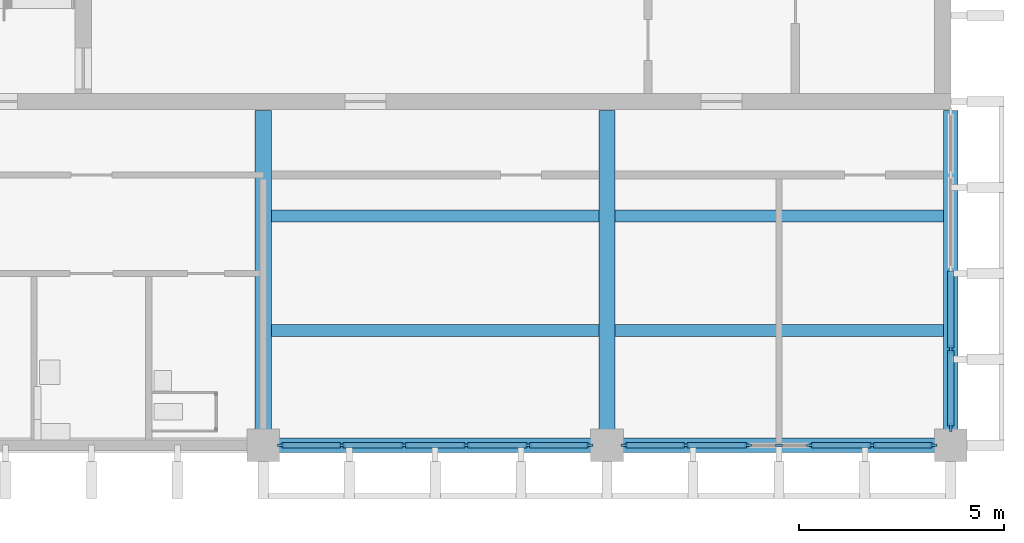
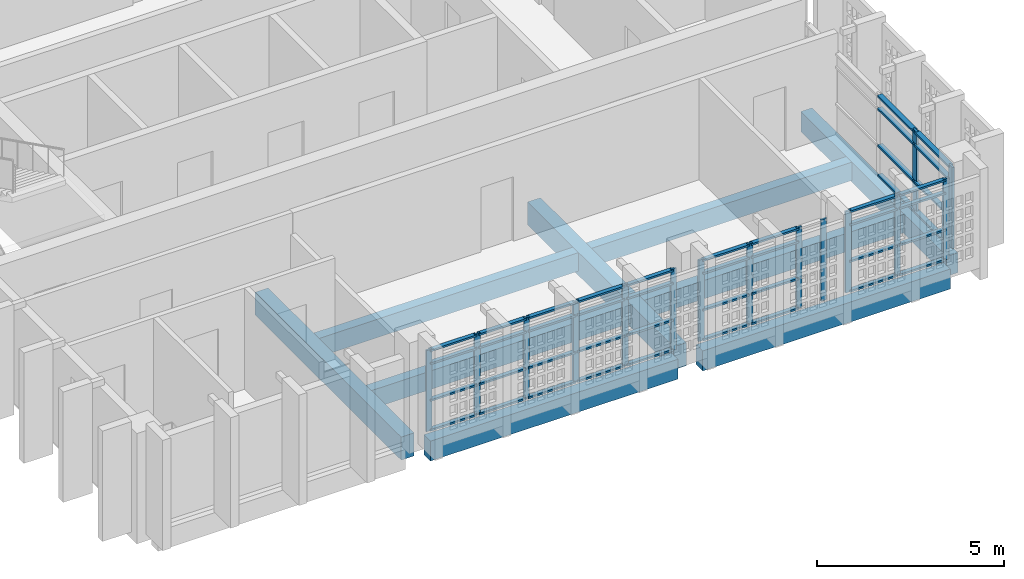
# One storey, part 2 of 13: 59 members, 9 beams, 3 elements without a shape of their own.
"""IFC4 building model written with IfcOpenShell, lengths in metres."""

from ifc_helpers import new_model, si_unit, direction, frame, origin, origin_2d, place, context, subcontext, project, spatial, rectangle, extrude, material, layer, layer_set, material_profile, profile_set, type_object, element, aggregate, save


model = new_model("IFC4")

# Units and contexts
model_context = context("Model", 3, precision=1e-05, world=origin(), true_north=direction((0.0, 1.0)))
body_context = subcontext(model_context, "Body", "Model", "MODEL_VIEW")
ifc_project = project(units=[si_unit("LENGTHUNIT", "METRE"), si_unit("AREAUNIT", "SQUARE_METRE"), si_unit("VOLUMEUNIT", "CUBIC_METRE"), si_unit("PLANEANGLEUNIT", "RADIAN"), si_unit("MASSUNIT", "GRAM", prefix="KILO")], contexts=[model_context])

# Site, building, storey
site_placement = place(None, origin())
site = spatial("IfcSite", under=ifc_project, at=site_placement, CompositionType="ELEMENT")
building_placement = place(site_placement, origin())
building = spatial("IfcBuilding", under=site, at=building_placement, Name="Rulbaag Community and Learning Centre", CompositionType="ELEMENT")
storey_placement = place(building_placement, frame((0.0, 0.0, 39.60009765625)))
storey = spatial("IfcBuildingStorey", under=building, at=storey_placement, Name="L10", CompositionType="ELEMENT", Elevation=39.60009765625)

# Beams
ifc_material_1 = material(Name="Concrete M40", Category="concrete")
ifc_material_profile_1 = material_profile(ifc_material_1, rectangle(XDim=0.35009765625, YDim=0.64990234375, at=origin_2d()), Name="RB350x650")
ifc_profile_set_1 = profile_set([ifc_material_profile_1], Name="Concrete M40")
beam_type_1 = type_object("IfcBeamType", Name="B14 Tower edge beam, upper zone 350x650 Concrete M40", PredefinedType="BEAM", material=ifc_profile_set_1)
beam_1_placement = place(storey_placement, frame((151.580078125, 84.0, -0.550048828125), z_axis=(1.0, 0.0, 0.0), x_axis=(0.0, 1.0, 0.0)))
element("IfcBeam", 1, at=beam_1_placement, inside=storey, type_object=beam_type_1, Name="BM-L10-19K-20K", PredefinedType="BEAM", context=body_context, shape_type="SweptSolid", body=[
    extrude(rectangle(XDim=0.35009765625, YDim=0.64990234375, at=origin_2d()), origin(), (0.0, 0.0, 1.0), 7.639892578125),
])
beam_2_placement = place(storey_placement, frame((159.97998046875, 84.0, -0.550048828125), z_axis=(1.0, 0.0, 0.0), x_axis=(0.0, 1.0, 0.0)))
element("IfcBeam", 2, at=beam_2_placement, inside=storey, type_object=beam_type_1, Name="BM-L10-20K-21K", PredefinedType="BEAM", context=body_context, shape_type="SweptSolid", body=[
    extrude(rectangle(XDim=0.35009765625, YDim=0.64990234375, at=origin_2d()), origin(), (0.0, 0.0, 1.0), 7.64013671875),
])
beam_3_placement = place(storey_placement, frame((168.0, 84.3798828125, -0.550048828125), z_axis=(0.0, 1.0, 0.0), x_axis=(-1.0, 0.0, 0.0)))
element("IfcBeam", 3, at=beam_3_placement, inside=storey, type_object=beam_type_1, Name="BM-L10-21K-21L", PredefinedType="BEAM", context=body_context, shape_type="SweptSolid", body=[
    extrude(rectangle(XDim=0.35009765625, YDim=0.64990234375, at=origin_2d()), origin(), (0.0, 0.0, 1.0), 7.795166015625),
])
ifc_material_profile_2 = material_profile(ifc_material_1, rectangle(XDim=0.39990234375, YDim=0.75, at=origin_2d()), Name="RB400x750")
ifc_profile_set_2 = profile_set([ifc_material_profile_2], Name="Concrete M40")
beam_type_2 = type_object("IfcBeamType", Name="B15 Tower frame beam, middle zone 400x750 Concrete M40", PredefinedType="BEAM", material=ifc_profile_set_2)
for number, where, z_axis, x_axis, name in (
    (4, (151.199951171875, 84.3798828125, -0.60009765625), (0.0, 1.0, 0.0), (-1.0, 0.0, 0.0), "BM-L10-19K-19L"),
    (5, (159.60009765625, 84.3798828125, -0.60009765625), (0.0, 1.0, 0.0), (-1.0, 0.0, 0.0), "BM-L10-20K-20L"),
):
    element("IfcBeam", number, at=place(storey_placement, frame(where, z_axis=z_axis, x_axis=x_axis)), inside=storey, type_object=beam_type_2, Name=name, PredefinedType="BEAM", context=body_context, shape_type="SweptSolid", body=[
        extrude(rectangle(XDim=0.39990234375, YDim=0.75, at=origin_2d()), origin(), (0.0, 0.0, 1.0), 7.795166015625),
    ])
ifc_material_profile_3 = material_profile(ifc_material_1, rectangle(XDim=0.300048828125, YDim=0.60009765625, at=origin_2d()), Name="RB300x600")
ifc_profile_set_3 = profile_set([ifc_material_profile_3], Name="Concrete M40")
beam_type_3 = type_object("IfcBeamType", Name="B30 Secondary joist 300x600 Concrete M40", PredefinedType="BEAM", material=ifc_profile_set_3)
for number, where, z_axis, x_axis, name in (
    (6, (151.39990234375, 86.800048828125, -0.525146484375), (1.0, 0.0, 0.0), (0.0, 1.0, 0.0), "BM-JS-L10-19K-1"),
    (7, (151.39990234375, 89.60009765625, -0.525146484375), (1.0, 0.0, 0.0), (0.0, 1.0, 0.0), "BM-JS-L10-19K-2"),
):
    element("IfcBeam", number, at=place(storey_placement, frame(where, z_axis=z_axis, x_axis=x_axis)), inside=storey, type_object=beam_type_3, Name=name, PredefinedType="BEAM", context=body_context, shape_type="SweptSolid", body=[
        extrude(rectangle(XDim=0.300048828125, YDim=0.60009765625, at=origin_2d()), origin(), (0.0, 0.0, 1.0), 8.0),
    ])
for number, where, z_axis, x_axis, name in (
    (8, (159.800048828125, 86.800048828125, -0.525146484375), (1.0, 0.0, 0.0), (0.0, 1.0, 0.0), "BM-JS-L10-20K-1"),
    (9, (159.800048828125, 89.60009765625, -0.525146484375), (1.0, 0.0, 0.0), (0.0, 1.0, 0.0), "BM-JS-L10-20K-2"),
):
    element("IfcBeam", number, at=place(storey_placement, frame(where, z_axis=z_axis, x_axis=x_axis)), inside=storey, type_object=beam_type_3, Name=name, PredefinedType="BEAM", context=body_context, shape_type="SweptSolid", body=[
        extrude(rectangle(XDim=0.300048828125, YDim=0.60009765625, at=origin_2d()), origin(), (0.0, 0.0, 1.0), 8.02490234375),
    ])

# Curtain wall, members
ifc_material_2 = material(Name="Aluminium", Category="aluminium")
ifc_layer_1 = layer(ifc_material_2, 0.14990234375)
ifc_layer_set_1 = layer_set([ifc_layer_1], Name="CW-S")
curtain_wall_type_1 = type_object("IfcCurtainWallType", Name="CW-S", PredefinedType="USERDEFINED", material=ifc_layer_set_1)
curtain_wall_1_placement = place(storey_placement, origin())
curtain_wall_1 = element("IfcCurtainWall", 10, at=curtain_wall_1_placement, inside=storey, type_object=curtain_wall_type_1, Name="GS-L10-01", ObjectType="UNITISED CURTAIN WALL", PredefinedType="USERDEFINED")
ifc_material_3 = material(Name="Aluminium mullion", Category="aluminium")
ifc_material_profile_4 = material_profile(ifc_material_3, rectangle(XDim=0.06005859375, YDim=0.175048828125, at=origin_2d()), Name="AL 60x175")
ifc_profile_set_4 = profile_set([ifc_material_profile_4], Name="Aluminium mullion")
member_type_1 = type_object("IfcMemberType", Name="CW-S-MUL", PredefinedType="MULLION", material=ifc_profile_set_4)
member_1_placement = place(storey_placement, frame((151.6298828125, 84.0, 0.0), z_axis=(0.0, 0.0, 1.0), x_axis=(0.0, 1.0, 0.0)))
member_1 = element("IfcMember", 11, at=member_1_placement, type_object=member_type_1, Name="GS mullion 1", PredefinedType="MULLION", context=body_context, shape_type="SweptSolid", body=[
    extrude(rectangle(XDim=0.06005859375, YDim=0.175048828125, at=origin_2d()), origin(), (0.0, 0.0, 1.0), 2.64990234375),
])
member_2_placement = place(storey_placement, frame((153.1201171875, 84.0, 0.0), z_axis=(0.0, 0.0, 1.0), x_axis=(0.0, 1.0, 0.0)))
member_2 = element("IfcMember", 12, at=member_2_placement, type_object=member_type_1, Name="GS mullion 2", PredefinedType="MULLION", context=body_context, shape_type="SweptSolid", body=[
    extrude(rectangle(XDim=0.06005859375, YDim=0.175048828125, at=origin_2d()), origin(), (0.0, 0.0, 1.0), 2.64990234375),
])
member_3_placement = place(storey_placement, frame((154.639892578125, 84.0, 0.0), z_axis=(0.0, 0.0, 1.0), x_axis=(0.0, 1.0, 0.0)))
member_3 = element("IfcMember", 13, at=member_3_placement, type_object=member_type_1, Name="GS mullion 3", PredefinedType="MULLION", context=body_context, shape_type="SweptSolid", body=[
    extrude(rectangle(XDim=0.06005859375, YDim=0.175048828125, at=origin_2d()), origin(), (0.0, 0.0, 1.0), 2.64990234375),
])
member_4_placement = place(storey_placement, frame((156.159912109375, 84.0, 0.0), z_axis=(0.0, 0.0, 1.0), x_axis=(0.0, 1.0, 0.0)))
member_4 = element("IfcMember", 14, at=member_4_placement, type_object=member_type_1, Name="GS mullion 4", PredefinedType="MULLION", context=body_context, shape_type="SweptSolid", body=[
    extrude(rectangle(XDim=0.06005859375, YDim=0.175048828125, at=origin_2d()), origin(), (0.0, 0.0, 1.0), 2.64990234375),
])
member_5_placement = place(storey_placement, frame((157.679931640625, 84.0, 0.0), z_axis=(0.0, 0.0, 1.0), x_axis=(0.0, 1.0, 0.0)))
member_5 = element("IfcMember", 15, at=member_5_placement, type_object=member_type_1, Name="GS mullion 5", PredefinedType="MULLION", context=body_context, shape_type="SweptSolid", body=[
    extrude(rectangle(XDim=0.06005859375, YDim=0.175048828125, at=origin_2d()), origin(), (0.0, 0.0, 1.0), 2.64990234375),
])
member_6_placement = place(storey_placement, frame((159.169921875, 84.0, 0.0), z_axis=(0.0, 0.0, 1.0), x_axis=(0.0, 1.0, 0.0)))
member_6 = element("IfcMember", 16, at=member_6_placement, type_object=member_type_1, Name="GS mullion 6", PredefinedType="MULLION", context=body_context, shape_type="SweptSolid", body=[
    extrude(rectangle(XDim=0.06005859375, YDim=0.175048828125, at=origin_2d()), origin(), (0.0, 0.0, 1.0), 2.64990234375),
])

curtain_wall_2_placement = place(storey_placement, origin())
curtain_wall_2 = element("IfcCurtainWall", 17, at=curtain_wall_2_placement, inside=storey, type_object=curtain_wall_type_1, Name="GS-L10-02", ObjectType="UNITISED CURTAIN WALL", PredefinedType="USERDEFINED")
member_7_placement = place(storey_placement, frame((160.030029296875, 84.0, 0.0), z_axis=(0.0, 0.0, 1.0), x_axis=(0.0, 1.0, 0.0)))
member_7 = element("IfcMember", 18, at=member_7_placement, type_object=member_type_1, Name="GS mullion 1", PredefinedType="MULLION", context=body_context, shape_type="SweptSolid", body=[
    extrude(rectangle(XDim=0.06005859375, YDim=0.175048828125, at=origin_2d()), origin(), (0.0, 0.0, 1.0), 2.64990234375),
])
member_8_placement = place(storey_placement, frame((161.52001953125, 84.0, 0.0), z_axis=(0.0, 0.0, 1.0), x_axis=(0.0, 1.0, 0.0)))
member_8 = element("IfcMember", 19, at=member_8_placement, type_object=member_type_1, Name="GS mullion 2", PredefinedType="MULLION", context=body_context, shape_type="SweptSolid", body=[
    extrude(rectangle(XDim=0.06005859375, YDim=0.175048828125, at=origin_2d()), origin(), (0.0, 0.0, 1.0), 2.64990234375),
])
member_9_placement = place(storey_placement, frame((163.0400390625, 84.0, 0.0), z_axis=(0.0, 0.0, 1.0), x_axis=(0.0, 1.0, 0.0)))
member_9 = element("IfcMember", 20, at=member_9_placement, type_object=member_type_1, Name="GS mullion 3", PredefinedType="MULLION", context=body_context, shape_type="SweptSolid", body=[
    extrude(rectangle(XDim=0.06005859375, YDim=0.175048828125, at=origin_2d()), origin(), (0.0, 0.0, 1.0), 2.64990234375),
])
member_10_placement = place(storey_placement, frame((163.800048828125, 84.0, 0.0), z_axis=(0.0, 0.0, 1.0), x_axis=(0.0, 1.0, 0.0)))
member_10 = element("IfcMember", 21, at=member_10_placement, type_object=member_type_1, Name="GS mullion 4", PredefinedType="MULLION", context=body_context, shape_type="SweptSolid", body=[
    extrude(rectangle(XDim=0.06005859375, YDim=0.175048828125, at=origin_2d()), origin(), (0.0, 0.0, 1.0), 2.64990234375),
])
member_11_placement = place(storey_placement, frame((164.56005859375, 84.0, 0.0), z_axis=(0.0, 0.0, 1.0), x_axis=(0.0, 1.0, 0.0)))
member_11 = element("IfcMember", 22, at=member_11_placement, type_object=member_type_1, Name="GS mullion 5", PredefinedType="MULLION", context=body_context, shape_type="SweptSolid", body=[
    extrude(rectangle(XDim=0.06005859375, YDim=0.175048828125, at=origin_2d()), origin(), (0.0, 0.0, 1.0), 2.64990234375),
])
member_12_placement = place(storey_placement, frame((166.080078125, 84.0, 0.0), z_axis=(0.0, 0.0, 1.0), x_axis=(0.0, 1.0, 0.0)))
member_12 = element("IfcMember", 23, at=member_12_placement, type_object=member_type_1, Name="GS mullion 6", PredefinedType="MULLION", context=body_context, shape_type="SweptSolid", body=[
    extrude(rectangle(XDim=0.06005859375, YDim=0.175048828125, at=origin_2d()), origin(), (0.0, 0.0, 1.0), 2.64990234375),
])
member_13_placement = place(storey_placement, frame((167.570068359375, 84.0, 0.0), z_axis=(0.0, 0.0, 1.0), x_axis=(0.0, 1.0, 0.0)))
member_13 = element("IfcMember", 24, at=member_13_placement, type_object=member_type_1, Name="GS mullion 7", PredefinedType="MULLION", context=body_context, shape_type="SweptSolid", body=[
    extrude(rectangle(XDim=0.06005859375, YDim=0.175048828125, at=origin_2d()), origin(), (0.0, 0.0, 1.0), 2.64990234375),
])

# Member
ifc_material_4 = material(Name="Aluminium transom", Category="aluminium")
ifc_material_profile_5 = material_profile(ifc_material_4, rectangle(XDim=0.125, YDim=0.06005859375, at=origin_2d()), Name="AL 60x125 T")
ifc_profile_set_5 = profile_set([ifc_material_profile_5], Name="Aluminium transom")
member_type_2 = type_object("IfcMemberType", Name="CW-S-TRN", PredefinedType="USERDEFINED", material=ifc_profile_set_5)
member_14_placement = place(storey_placement, frame((151.659912109375, 84.0, 0.02978515625), z_axis=(1.0, 0.0, 0.0), x_axis=(0.0, 1.0, 0.0)))
member_14 = element("IfcMember", 25, at=member_14_placement, type_object=member_type_2, Name="GS transom 1.1", ObjectType="TRANSOM", PredefinedType="USERDEFINED", context=body_context, shape_type="SweptSolid", body=[
    extrude(rectangle(XDim=0.125, YDim=0.06005859375, at=origin_2d()), origin(), (0.0, 0.0, 1.0), 1.43017578125),
])

member_15_placement = place(storey_placement, frame((151.659912109375, 84.0, 1.0), z_axis=(1.0, 0.0, 0.0), x_axis=(0.0, 1.0, 0.0)))
member_15 = element("IfcMember", 26, at=member_15_placement, type_object=member_type_2, Name="GS transom 1.2", ObjectType="TRANSOM", PredefinedType="USERDEFINED", context=body_context, shape_type="SweptSolid", body=[
    extrude(rectangle(XDim=0.125, YDim=0.06005859375, at=origin_2d()), origin(), (0.0, 0.0, 1.0), 1.43017578125),
])

member_16_placement = place(storey_placement, frame((151.659912109375, 84.0, 2.199951171875), z_axis=(1.0, 0.0, 0.0), x_axis=(0.0, 1.0, 0.0)))
member_16 = element("IfcMember", 27, at=member_16_placement, type_object=member_type_2, Name="GS transom 1.3", ObjectType="TRANSOM", PredefinedType="USERDEFINED", context=body_context, shape_type="SweptSolid", body=[
    extrude(rectangle(XDim=0.125, YDim=0.06005859375, at=origin_2d()), origin(), (0.0, 0.0, 1.0), 1.43017578125),
])

member_17_placement = place(storey_placement, frame((151.659912109375, 84.0, 2.619873046875), z_axis=(1.0, 0.0, 0.0), x_axis=(0.0, 1.0, 0.0)))
member_17 = element("IfcMember", 28, at=member_17_placement, type_object=member_type_2, Name="GS transom 1.4", ObjectType="TRANSOM", PredefinedType="USERDEFINED", context=body_context, shape_type="SweptSolid", body=[
    extrude(rectangle(XDim=0.125, YDim=0.06005859375, at=origin_2d()), origin(), (0.0, 0.0, 1.0), 1.43017578125),
])

member_18_placement = place(storey_placement, frame((153.14990234375, 84.0, 0.02978515625), z_axis=(1.0, 0.0, 0.0), x_axis=(0.0, 1.0, 0.0)))
member_18 = element("IfcMember", 29, at=member_18_placement, type_object=member_type_2, Name="GS transom 2.1", ObjectType="TRANSOM", PredefinedType="USERDEFINED", context=body_context, shape_type="SweptSolid", body=[
    extrude(rectangle(XDim=0.125, YDim=0.06005859375, at=origin_2d()), origin(), (0.0, 0.0, 1.0), 1.460205078125),
])

member_19_placement = place(storey_placement, frame((153.14990234375, 84.0, 1.0), z_axis=(1.0, 0.0, 0.0), x_axis=(0.0, 1.0, 0.0)))
member_19 = element("IfcMember", 30, at=member_19_placement, type_object=member_type_2, Name="GS transom 2.2", ObjectType="TRANSOM", PredefinedType="USERDEFINED", context=body_context, shape_type="SweptSolid", body=[
    extrude(rectangle(XDim=0.125, YDim=0.06005859375, at=origin_2d()), origin(), (0.0, 0.0, 1.0), 1.460205078125),
])

member_20_placement = place(storey_placement, frame((153.14990234375, 84.0, 2.199951171875), z_axis=(1.0, 0.0, 0.0), x_axis=(0.0, 1.0, 0.0)))
member_20 = element("IfcMember", 31, at=member_20_placement, type_object=member_type_2, Name="GS transom 2.3", ObjectType="TRANSOM", PredefinedType="USERDEFINED", context=body_context, shape_type="SweptSolid", body=[
    extrude(rectangle(XDim=0.125, YDim=0.06005859375, at=origin_2d()), origin(), (0.0, 0.0, 1.0), 1.460205078125),
])

member_21_placement = place(storey_placement, frame((153.14990234375, 84.0, 2.619873046875), z_axis=(1.0, 0.0, 0.0), x_axis=(0.0, 1.0, 0.0)))
member_21 = element("IfcMember", 32, at=member_21_placement, type_object=member_type_2, Name="GS transom 2.4", ObjectType="TRANSOM", PredefinedType="USERDEFINED", context=body_context, shape_type="SweptSolid", body=[
    extrude(rectangle(XDim=0.125, YDim=0.06005859375, at=origin_2d()), origin(), (0.0, 0.0, 1.0), 1.460205078125),
])

member_22_placement = place(storey_placement, frame((154.669921875, 84.0, 0.02978515625), z_axis=(1.0, 0.0, 0.0), x_axis=(0.0, 1.0, 0.0)))
member_22 = element("IfcMember", 33, at=member_22_placement, type_object=member_type_2, Name="GS transom 3.1", ObjectType="TRANSOM", PredefinedType="USERDEFINED", context=body_context, shape_type="SweptSolid", body=[
    extrude(rectangle(XDim=0.125, YDim=0.06005859375, at=origin_2d()), origin(), (0.0, 0.0, 1.0), 1.4599609375),
])

member_23_placement = place(storey_placement, frame((154.669921875, 84.0, 1.0), z_axis=(1.0, 0.0, 0.0), x_axis=(0.0, 1.0, 0.0)))
member_23 = element("IfcMember", 34, at=member_23_placement, type_object=member_type_2, Name="GS transom 3.2", ObjectType="TRANSOM", PredefinedType="USERDEFINED", context=body_context, shape_type="SweptSolid", body=[
    extrude(rectangle(XDim=0.125, YDim=0.06005859375, at=origin_2d()), origin(), (0.0, 0.0, 1.0), 1.4599609375),
])

member_24_placement = place(storey_placement, frame((154.669921875, 84.0, 2.199951171875), z_axis=(1.0, 0.0, 0.0), x_axis=(0.0, 1.0, 0.0)))
member_24 = element("IfcMember", 35, at=member_24_placement, type_object=member_type_2, Name="GS transom 3.3", ObjectType="TRANSOM", PredefinedType="USERDEFINED", context=body_context, shape_type="SweptSolid", body=[
    extrude(rectangle(XDim=0.125, YDim=0.06005859375, at=origin_2d()), origin(), (0.0, 0.0, 1.0), 1.4599609375),
])

member_25_placement = place(storey_placement, frame((154.669921875, 84.0, 2.619873046875), z_axis=(1.0, 0.0, 0.0), x_axis=(0.0, 1.0, 0.0)))
member_25 = element("IfcMember", 36, at=member_25_placement, type_object=member_type_2, Name="GS transom 3.4", ObjectType="TRANSOM", PredefinedType="USERDEFINED", context=body_context, shape_type="SweptSolid", body=[
    extrude(rectangle(XDim=0.125, YDim=0.06005859375, at=origin_2d()), origin(), (0.0, 0.0, 1.0), 1.4599609375),
])

member_26_placement = place(storey_placement, frame((156.18994140625, 84.0, 0.02978515625), z_axis=(1.0, 0.0, 0.0), x_axis=(0.0, 1.0, 0.0)))
member_26 = element("IfcMember", 37, at=member_26_placement, type_object=member_type_2, Name="GS transom 4.1", ObjectType="TRANSOM", PredefinedType="USERDEFINED", context=body_context, shape_type="SweptSolid", body=[
    extrude(rectangle(XDim=0.125, YDim=0.06005859375, at=origin_2d()), origin(), (0.0, 0.0, 1.0), 1.4599609375),
])

member_27_placement = place(storey_placement, frame((156.18994140625, 84.0, 1.0), z_axis=(1.0, 0.0, 0.0), x_axis=(0.0, 1.0, 0.0)))
member_27 = element("IfcMember", 38, at=member_27_placement, type_object=member_type_2, Name="GS transom 4.2", ObjectType="TRANSOM", PredefinedType="USERDEFINED", context=body_context, shape_type="SweptSolid", body=[
    extrude(rectangle(XDim=0.125, YDim=0.06005859375, at=origin_2d()), origin(), (0.0, 0.0, 1.0), 1.4599609375),
])

member_28_placement = place(storey_placement, frame((156.18994140625, 84.0, 2.199951171875), z_axis=(1.0, 0.0, 0.0), x_axis=(0.0, 1.0, 0.0)))
member_28 = element("IfcMember", 39, at=member_28_placement, type_object=member_type_2, Name="GS transom 4.3", ObjectType="TRANSOM", PredefinedType="USERDEFINED", context=body_context, shape_type="SweptSolid", body=[
    extrude(rectangle(XDim=0.125, YDim=0.06005859375, at=origin_2d()), origin(), (0.0, 0.0, 1.0), 1.4599609375),
])

member_29_placement = place(storey_placement, frame((156.18994140625, 84.0, 2.619873046875), z_axis=(1.0, 0.0, 0.0), x_axis=(0.0, 1.0, 0.0)))
member_29 = element("IfcMember", 40, at=member_29_placement, type_object=member_type_2, Name="GS transom 4.4", ObjectType="TRANSOM", PredefinedType="USERDEFINED", context=body_context, shape_type="SweptSolid", body=[
    extrude(rectangle(XDim=0.125, YDim=0.06005859375, at=origin_2d()), origin(), (0.0, 0.0, 1.0), 1.4599609375),
])

member_30_placement = place(storey_placement, frame((157.7099609375, 84.0, 0.02978515625), z_axis=(1.0, 0.0, 0.0), x_axis=(0.0, 1.0, 0.0)))
member_30 = element("IfcMember", 41, at=member_30_placement, type_object=member_type_2, Name="GS transom 5.1", ObjectType="TRANSOM", PredefinedType="USERDEFINED", context=body_context, shape_type="SweptSolid", body=[
    extrude(rectangle(XDim=0.125, YDim=0.06005859375, at=origin_2d()), origin(), (0.0, 0.0, 1.0), 1.429931640625),
])

member_31_placement = place(storey_placement, frame((157.7099609375, 84.0, 1.0), z_axis=(1.0, 0.0, 0.0), x_axis=(0.0, 1.0, 0.0)))
member_31 = element("IfcMember", 42, at=member_31_placement, type_object=member_type_2, Name="GS transom 5.2", ObjectType="TRANSOM", PredefinedType="USERDEFINED", context=body_context, shape_type="SweptSolid", body=[
    extrude(rectangle(XDim=0.125, YDim=0.06005859375, at=origin_2d()), origin(), (0.0, 0.0, 1.0), 1.429931640625),
])

member_32_placement = place(storey_placement, frame((157.7099609375, 84.0, 2.199951171875), z_axis=(1.0, 0.0, 0.0), x_axis=(0.0, 1.0, 0.0)))
member_32 = element("IfcMember", 43, at=member_32_placement, type_object=member_type_2, Name="GS transom 5.3", ObjectType="TRANSOM", PredefinedType="USERDEFINED", context=body_context, shape_type="SweptSolid", body=[
    extrude(rectangle(XDim=0.125, YDim=0.06005859375, at=origin_2d()), origin(), (0.0, 0.0, 1.0), 1.429931640625),
])

member_33_placement = place(storey_placement, frame((157.7099609375, 84.0, 2.619873046875), z_axis=(1.0, 0.0, 0.0), x_axis=(0.0, 1.0, 0.0)))
member_33 = element("IfcMember", 44, at=member_33_placement, type_object=member_type_2, Name="GS transom 5.4", ObjectType="TRANSOM", PredefinedType="USERDEFINED", context=body_context, shape_type="SweptSolid", body=[
    extrude(rectangle(XDim=0.125, YDim=0.06005859375, at=origin_2d()), origin(), (0.0, 0.0, 1.0), 1.429931640625),
])

aggregate(curtain_wall_1, [member_1, member_2, member_3, member_4, member_5, member_6, member_14, member_15, member_16, member_17, member_18, member_19, member_20, member_21, member_22, member_23, member_24, member_25, member_26, member_27, member_28, member_29, member_30, member_31, member_32, member_33])

member_34_placement = place(storey_placement, frame((160.06005859375, 84.0, 0.02978515625), z_axis=(1.0, 0.0, 0.0), x_axis=(0.0, 1.0, 0.0)))
member_34 = element("IfcMember", 45, at=member_34_placement, type_object=member_type_2, Name="GS transom 1.1", ObjectType="TRANSOM", PredefinedType="USERDEFINED", context=body_context, shape_type="SweptSolid", body=[
    extrude(rectangle(XDim=0.125, YDim=0.06005859375, at=origin_2d()), origin(), (0.0, 0.0, 1.0), 1.429931640625),
])

member_35_placement = place(storey_placement, frame((160.06005859375, 84.0, 1.0), z_axis=(1.0, 0.0, 0.0), x_axis=(0.0, 1.0, 0.0)))
member_35 = element("IfcMember", 46, at=member_35_placement, type_object=member_type_2, Name="GS transom 1.2", ObjectType="TRANSOM", PredefinedType="USERDEFINED", context=body_context, shape_type="SweptSolid", body=[
    extrude(rectangle(XDim=0.125, YDim=0.06005859375, at=origin_2d()), origin(), (0.0, 0.0, 1.0), 1.429931640625),
])

member_36_placement = place(storey_placement, frame((160.06005859375, 84.0, 2.199951171875), z_axis=(1.0, 0.0, 0.0), x_axis=(0.0, 1.0, 0.0)))
member_36 = element("IfcMember", 47, at=member_36_placement, type_object=member_type_2, Name="GS transom 1.3", ObjectType="TRANSOM", PredefinedType="USERDEFINED", context=body_context, shape_type="SweptSolid", body=[
    extrude(rectangle(XDim=0.125, YDim=0.06005859375, at=origin_2d()), origin(), (0.0, 0.0, 1.0), 1.429931640625),
])

member_37_placement = place(storey_placement, frame((160.06005859375, 84.0, 2.619873046875), z_axis=(1.0, 0.0, 0.0), x_axis=(0.0, 1.0, 0.0)))
member_37 = element("IfcMember", 48, at=member_37_placement, type_object=member_type_2, Name="GS transom 1.4", ObjectType="TRANSOM", PredefinedType="USERDEFINED", context=body_context, shape_type="SweptSolid", body=[
    extrude(rectangle(XDim=0.125, YDim=0.06005859375, at=origin_2d()), origin(), (0.0, 0.0, 1.0), 1.429931640625),
])

member_38_placement = place(storey_placement, frame((161.550048828125, 84.0, 0.02978515625), z_axis=(1.0, 0.0, 0.0), x_axis=(0.0, 1.0, 0.0)))
member_38 = element("IfcMember", 49, at=member_38_placement, type_object=member_type_2, Name="GS transom 2.1", ObjectType="TRANSOM", PredefinedType="USERDEFINED", context=body_context, shape_type="SweptSolid", body=[
    extrude(rectangle(XDim=0.125, YDim=0.06005859375, at=origin_2d()), origin(), (0.0, 0.0, 1.0), 1.4599609375),
])

member_39_placement = place(storey_placement, frame((161.550048828125, 84.0, 1.0), z_axis=(1.0, 0.0, 0.0), x_axis=(0.0, 1.0, 0.0)))
member_39 = element("IfcMember", 50, at=member_39_placement, type_object=member_type_2, Name="GS transom 2.2", ObjectType="TRANSOM", PredefinedType="USERDEFINED", context=body_context, shape_type="SweptSolid", body=[
    extrude(rectangle(XDim=0.125, YDim=0.06005859375, at=origin_2d()), origin(), (0.0, 0.0, 1.0), 1.4599609375),
])

member_40_placement = place(storey_placement, frame((161.550048828125, 84.0, 2.199951171875), z_axis=(1.0, 0.0, 0.0), x_axis=(0.0, 1.0, 0.0)))
member_40 = element("IfcMember", 51, at=member_40_placement, type_object=member_type_2, Name="GS transom 2.3", ObjectType="TRANSOM", PredefinedType="USERDEFINED", context=body_context, shape_type="SweptSolid", body=[
    extrude(rectangle(XDim=0.125, YDim=0.06005859375, at=origin_2d()), origin(), (0.0, 0.0, 1.0), 1.4599609375),
])

member_41_placement = place(storey_placement, frame((161.550048828125, 84.0, 2.619873046875), z_axis=(1.0, 0.0, 0.0), x_axis=(0.0, 1.0, 0.0)))
member_41 = element("IfcMember", 52, at=member_41_placement, type_object=member_type_2, Name="GS transom 2.4", ObjectType="TRANSOM", PredefinedType="USERDEFINED", context=body_context, shape_type="SweptSolid", body=[
    extrude(rectangle(XDim=0.125, YDim=0.06005859375, at=origin_2d()), origin(), (0.0, 0.0, 1.0), 1.4599609375),
])

member_42_placement = place(storey_placement, frame((164.590087890625, 84.0, 0.02978515625), z_axis=(1.0, 0.0, 0.0), x_axis=(0.0, 1.0, 0.0)))
member_42 = element("IfcMember", 53, at=member_42_placement, type_object=member_type_2, Name="GS transom 5.1", ObjectType="TRANSOM", PredefinedType="USERDEFINED", context=body_context, shape_type="SweptSolid", body=[
    extrude(rectangle(XDim=0.125, YDim=0.06005859375, at=origin_2d()), origin(), (0.0, 0.0, 1.0), 1.4599609375),
])

member_43_placement = place(storey_placement, frame((164.590087890625, 84.0, 1.0), z_axis=(1.0, 0.0, 0.0), x_axis=(0.0, 1.0, 0.0)))
member_43 = element("IfcMember", 54, at=member_43_placement, type_object=member_type_2, Name="GS transom 5.2", ObjectType="TRANSOM", PredefinedType="USERDEFINED", context=body_context, shape_type="SweptSolid", body=[
    extrude(rectangle(XDim=0.125, YDim=0.06005859375, at=origin_2d()), origin(), (0.0, 0.0, 1.0), 1.4599609375),
])

member_44_placement = place(storey_placement, frame((164.590087890625, 84.0, 2.199951171875), z_axis=(1.0, 0.0, 0.0), x_axis=(0.0, 1.0, 0.0)))
member_44 = element("IfcMember", 55, at=member_44_placement, type_object=member_type_2, Name="GS transom 5.3", ObjectType="TRANSOM", PredefinedType="USERDEFINED", context=body_context, shape_type="SweptSolid", body=[
    extrude(rectangle(XDim=0.125, YDim=0.06005859375, at=origin_2d()), origin(), (0.0, 0.0, 1.0), 1.4599609375),
])

member_45_placement = place(storey_placement, frame((164.590087890625, 84.0, 2.619873046875), z_axis=(1.0, 0.0, 0.0), x_axis=(0.0, 1.0, 0.0)))
member_45 = element("IfcMember", 56, at=member_45_placement, type_object=member_type_2, Name="GS transom 5.4", ObjectType="TRANSOM", PredefinedType="USERDEFINED", context=body_context, shape_type="SweptSolid", body=[
    extrude(rectangle(XDim=0.125, YDim=0.06005859375, at=origin_2d()), origin(), (0.0, 0.0, 1.0), 1.4599609375),
])

member_46_placement = place(storey_placement, frame((166.110107421875, 84.0, 0.02978515625), z_axis=(1.0, 0.0, 0.0), x_axis=(0.0, 1.0, 0.0)))
member_46 = element("IfcMember", 57, at=member_46_placement, type_object=member_type_2, Name="GS transom 6.1", ObjectType="TRANSOM", PredefinedType="USERDEFINED", context=body_context, shape_type="SweptSolid", body=[
    extrude(rectangle(XDim=0.125, YDim=0.06005859375, at=origin_2d()), origin(), (0.0, 0.0, 1.0), 1.429931640625),
])

member_47_placement = place(storey_placement, frame((166.110107421875, 84.0, 1.0), z_axis=(1.0, 0.0, 0.0), x_axis=(0.0, 1.0, 0.0)))
member_47 = element("IfcMember", 58, at=member_47_placement, type_object=member_type_2, Name="GS transom 6.2", ObjectType="TRANSOM", PredefinedType="USERDEFINED", context=body_context, shape_type="SweptSolid", body=[
    extrude(rectangle(XDim=0.125, YDim=0.06005859375, at=origin_2d()), origin(), (0.0, 0.0, 1.0), 1.429931640625),
])

member_48_placement = place(storey_placement, frame((166.110107421875, 84.0, 2.199951171875), z_axis=(1.0, 0.0, 0.0), x_axis=(0.0, 1.0, 0.0)))
member_48 = element("IfcMember", 59, at=member_48_placement, type_object=member_type_2, Name="GS transom 6.3", ObjectType="TRANSOM", PredefinedType="USERDEFINED", context=body_context, shape_type="SweptSolid", body=[
    extrude(rectangle(XDim=0.125, YDim=0.06005859375, at=origin_2d()), origin(), (0.0, 0.0, 1.0), 1.429931640625),
])

member_49_placement = place(storey_placement, frame((166.110107421875, 84.0, 2.619873046875), z_axis=(1.0, 0.0, 0.0), x_axis=(0.0, 1.0, 0.0)))
member_49 = element("IfcMember", 60, at=member_49_placement, type_object=member_type_2, Name="GS transom 6.4", ObjectType="TRANSOM", PredefinedType="USERDEFINED", context=body_context, shape_type="SweptSolid", body=[
    extrude(rectangle(XDim=0.125, YDim=0.06005859375, at=origin_2d()), origin(), (0.0, 0.0, 1.0), 1.429931640625),
])

aggregate(curtain_wall_2, [member_7, member_8, member_9, member_10, member_11, member_12, member_13, member_34, member_35, member_36, member_37, member_38, member_39, member_40, member_41, member_42, member_43, member_44, member_45, member_46, member_47, member_48, member_49])

# Curtain wall, members
ifc_layer_2 = layer(ifc_material_2, 0.14990234375)
ifc_layer_set_2 = layer_set([ifc_layer_2], Name="CW-T")
curtain_wall_type_2 = type_object("IfcCurtainWallType", Name="CW-T", PredefinedType="USERDEFINED", material=ifc_layer_set_2)
curtain_wall_3_placement = place(storey_placement, origin())
curtain_wall_3 = element("IfcCurtainWall", 61, at=curtain_wall_3_placement, inside=storey, type_object=curtain_wall_type_2, Name="GT-L10-02", ObjectType="UNITISED CURTAIN WALL", PredefinedType="USERDEFINED")
ifc_material_profile_6 = material_profile(ifc_material_3, rectangle(XDim=0.06494140625, YDim=0.199951171875, at=origin_2d()), Name="AL 65x200")
ifc_profile_set_6 = profile_set([ifc_material_profile_6], Name="Aluminium mullion")
member_type_3 = type_object("IfcMemberType", Name="CW-T-MUL", PredefinedType="MULLION", material=ifc_profile_set_6)
member_50_placement = place(storey_placement, frame((168.0, 84.4326171875, 0.0), z_axis=(0.0, 0.0, 1.0), x_axis=(-1.0, 0.0, 0.0)))
member_50 = element("IfcMember", 62, at=member_50_placement, type_object=member_type_3, Name="GT mullion 1", PredefinedType="MULLION", context=body_context, shape_type="SweptSolid", body=[
    extrude(rectangle(XDim=0.06494140625, YDim=0.199951171875, at=origin_2d()), origin(), (0.0, 0.0, 1.0), 2.64990234375),
])
member_51_placement = place(storey_placement, frame((168.0, 86.34375, 0.0), z_axis=(0.0, 0.0, 1.0), x_axis=(-1.0, 0.0, 0.0)))
member_51 = element("IfcMember", 63, at=member_51_placement, type_object=member_type_3, Name="GT mullion 2", PredefinedType="MULLION", context=body_context, shape_type="SweptSolid", body=[
    extrude(rectangle(XDim=0.06494140625, YDim=0.199951171875, at=origin_2d()), origin(), (0.0, 0.0, 1.0), 2.64990234375),
])
ifc_material_profile_7 = material_profile(ifc_material_4, rectangle(XDim=0.14990234375, YDim=0.06494140625, at=origin_2d()), Name="AL 65x150 T")
ifc_profile_set_7 = profile_set([ifc_material_profile_7], Name="Aluminium transom")
member_type_4 = type_object("IfcMemberType", Name="CW-T-TRN", PredefinedType="USERDEFINED", material=ifc_profile_set_7)
member_52_placement = place(storey_placement, frame((168.0, 84.465087890625, 0.032470703125), z_axis=(0.0, 1.0, 0.0), x_axis=(-1.0, 0.0, 0.0)))
member_52 = element("IfcMember", 64, at=member_52_placement, type_object=member_type_4, Name="GT transom 1.1", ObjectType="TRANSOM", PredefinedType="USERDEFINED", context=body_context, shape_type="SweptSolid", body=[
    extrude(rectangle(XDim=0.14990234375, YDim=0.06494140625, at=origin_2d()), origin(), (0.0, 0.0, 1.0), 1.84619140625),
])
member_53_placement = place(storey_placement, frame((168.0, 84.465087890625, 1.0), z_axis=(0.0, 1.0, 0.0), x_axis=(-1.0, 0.0, 0.0)))
member_53 = element("IfcMember", 65, at=member_53_placement, type_object=member_type_4, Name="GT transom 1.2", ObjectType="TRANSOM", PredefinedType="USERDEFINED", context=body_context, shape_type="SweptSolid", body=[
    extrude(rectangle(XDim=0.14990234375, YDim=0.06494140625, at=origin_2d()), origin(), (0.0, 0.0, 1.0), 1.84619140625),
])
member_54_placement = place(storey_placement, frame((168.0, 84.465087890625, 2.199951171875), z_axis=(0.0, 1.0, 0.0), x_axis=(-1.0, 0.0, 0.0)))
member_54 = element("IfcMember", 66, at=member_54_placement, type_object=member_type_4, Name="GT transom 1.3", ObjectType="TRANSOM", PredefinedType="USERDEFINED", context=body_context, shape_type="SweptSolid", body=[
    extrude(rectangle(XDim=0.14990234375, YDim=0.06494140625, at=origin_2d()), origin(), (0.0, 0.0, 1.0), 1.84619140625),
])
member_55_placement = place(storey_placement, frame((168.0, 84.465087890625, 2.617431640625), z_axis=(0.0, 1.0, 0.0), x_axis=(-1.0, 0.0, 0.0)))
member_55 = element("IfcMember", 67, at=member_55_placement, type_object=member_type_4, Name="GT transom 1.4", ObjectType="TRANSOM", PredefinedType="USERDEFINED", context=body_context, shape_type="SweptSolid", body=[
    extrude(rectangle(XDim=0.14990234375, YDim=0.06494140625, at=origin_2d()), origin(), (0.0, 0.0, 1.0), 1.84619140625),
])
member_56_placement = place(storey_placement, frame((168.0, 86.376220703125, 0.032470703125), z_axis=(0.0, 1.0, 0.0), x_axis=(-1.0, 0.0, 0.0)))
member_56 = element("IfcMember", 68, at=member_56_placement, type_object=member_type_4, Name="GT transom 2.1", ObjectType="TRANSOM", PredefinedType="USERDEFINED", context=body_context, shape_type="SweptSolid", body=[
    extrude(rectangle(XDim=0.14990234375, YDim=0.06494140625, at=origin_2d()), origin(), (0.0, 0.0, 1.0), 1.878662109375),
])
member_57_placement = place(storey_placement, frame((168.0, 86.376220703125, 1.0), z_axis=(0.0, 1.0, 0.0), x_axis=(-1.0, 0.0, 0.0)))
member_57 = element("IfcMember", 69, at=member_57_placement, type_object=member_type_4, Name="GT transom 2.2", ObjectType="TRANSOM", PredefinedType="USERDEFINED", context=body_context, shape_type="SweptSolid", body=[
    extrude(rectangle(XDim=0.14990234375, YDim=0.06494140625, at=origin_2d()), origin(), (0.0, 0.0, 1.0), 1.878662109375),
])
member_58_placement = place(storey_placement, frame((168.0, 86.376220703125, 2.199951171875), z_axis=(0.0, 1.0, 0.0), x_axis=(-1.0, 0.0, 0.0)))
member_58 = element("IfcMember", 70, at=member_58_placement, type_object=member_type_4, Name="GT transom 2.3", ObjectType="TRANSOM", PredefinedType="USERDEFINED", context=body_context, shape_type="SweptSolid", body=[
    extrude(rectangle(XDim=0.14990234375, YDim=0.06494140625, at=origin_2d()), origin(), (0.0, 0.0, 1.0), 1.878662109375),
])
member_59_placement = place(storey_placement, frame((168.0, 86.376220703125, 2.617431640625), z_axis=(0.0, 1.0, 0.0), x_axis=(-1.0, 0.0, 0.0)))
member_59 = element("IfcMember", 71, at=member_59_placement, type_object=member_type_4, Name="GT transom 2.4", ObjectType="TRANSOM", PredefinedType="USERDEFINED", context=body_context, shape_type="SweptSolid", body=[
    extrude(rectangle(XDim=0.14990234375, YDim=0.06494140625, at=origin_2d()), origin(), (0.0, 0.0, 1.0), 1.878662109375),
])
aggregate(curtain_wall_3, [member_50, member_51, member_52, member_53, member_54, member_55, member_56, member_57, member_58, member_59])

save(model, "model.ifc")
